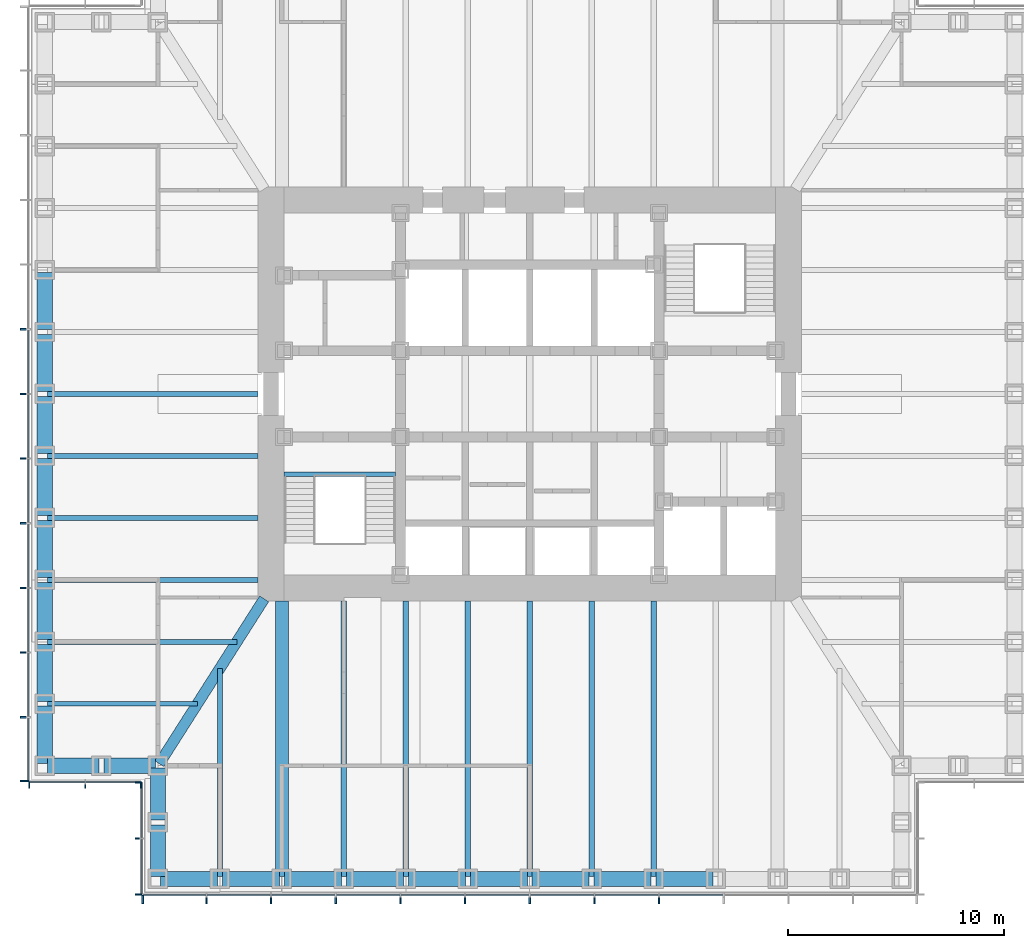
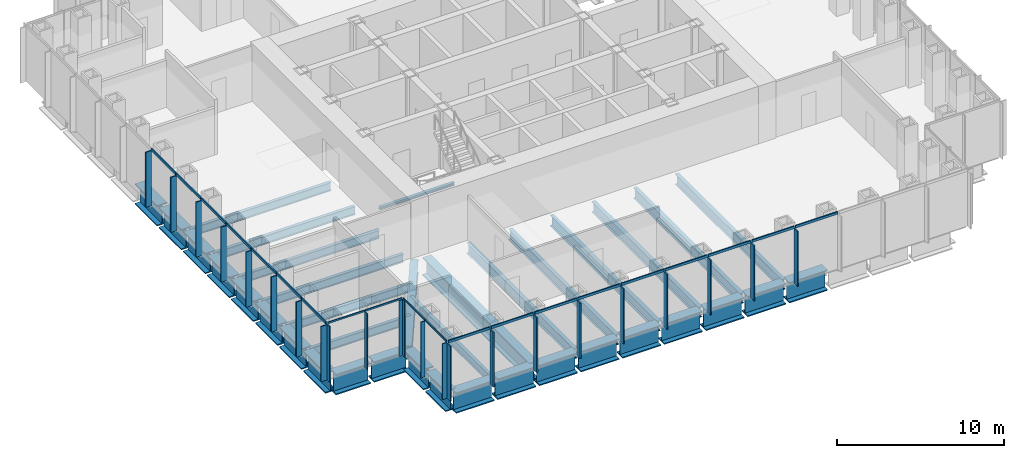
# One storey, part 2 of 17: 43 members, 37 beams, 4 elements without a shape of their own.
"""IFC4 building model written with IfcOpenShell, lengths in metres."""

from ifc_helpers import new_model, si_unit, direction, frame, origin, origin_2d, place, context, subcontext, project, spatial, rectangle, i_section, extrude, material, material_profile, profile_set, type_object, element, aggregate, save


model = new_model("IFC4")

# Units and contexts
model_context = context("Model", 3, precision=1e-05, world=origin(), true_north=direction((0.0, 1.0)))
body_context = subcontext(model_context, "Body", "Model", "MODEL_VIEW")
ifc_project = project(units=[si_unit("LENGTHUNIT", "METRE"), si_unit("AREAUNIT", "SQUARE_METRE"), si_unit("VOLUMEUNIT", "CUBIC_METRE"), si_unit("PLANEANGLEUNIT", "RADIAN"), si_unit("MASSUNIT", "GRAM", prefix="KILO")], contexts=[model_context])

# Site, building, storey
site_placement = place(None, origin())
site = spatial("IfcSite", under=ifc_project, at=site_placement, CompositionType="ELEMENT")
building_placement = place(site_placement, origin())
building = spatial("IfcBuilding", under=site, at=building_placement, Name="Daluyong Arena Tower", CompositionType="ELEMENT")
storey_placement = place(building_placement, frame((0.0, 0.0, 154.300048828125)))
storey = spatial("IfcBuildingStorey", under=building, at=storey_placement, Name="L34", CompositionType="ELEMENT", Elevation=154.300048828125)

# Curtain wall, members
ifc_material_1 = material(Name="Bronze anodised aluminium and glass", Category="aluminium")
curtain_wall_type_1 = type_object("IfcCurtainWallType", Name="Curtain wall CW2", PredefinedType="USERDEFINED", material=ifc_material_1)
curtain_wall_1_placement = place(storey_placement, origin())
curtain_wall_1 = element("IfcCurtainWall", 1, at=curtain_wall_1_placement, inside=storey, type_object=curtain_wall_type_1, Name="curtain wall L34 S", ObjectType="UNITISED CURTAIN WALL", PredefinedType="USERDEFINED")
ifc_material_2 = material(Name="Bronze anodised aluminium fin", Category="aluminium")
ifc_material_profile_1 = material_profile(ifc_material_2, rectangle(XDim=0.39990234375, YDim=0.080078125, at=origin_2d()))
ifc_profile_set_1 = profile_set([ifc_material_profile_1], Name="Bronze anodised aluminium fin")
member_type_1 = type_object("IfcMemberType", Name="CW2 bronze fin 400x80", PredefinedType="MULLION", material=ifc_profile_set_1)
member_1_placement = place(storey_placement, frame((38.0400390625, 56.550048828125, 0.0), z_axis=(0.0, 0.0, 1.0), x_axis=(0.0, 1.0, 0.0)))
member_1 = element("IfcMember", 2, at=member_1_placement, type_object=member_type_1, Name="curtain wall L34 S fin 1", PredefinedType="MULLION", context=body_context, shape_type="SweptSolid", body=[
    extrude(rectangle(XDim=0.39990234375, YDim=0.080078125, at=origin_2d()), origin(), (0.0, 0.0, 1.0), 4.02001953125),
])
member_2_placement = place(storey_placement, frame((41.0, 56.550048828125, 0.0), z_axis=(0.0, 0.0, 1.0), x_axis=(0.0, 1.0, 0.0)))
member_2 = element("IfcMember", 3, at=member_2_placement, type_object=member_type_1, Name="curtain wall L34 S fin 2", PredefinedType="MULLION", context=body_context, shape_type="SweptSolid", body=[
    extrude(rectangle(XDim=0.39990234375, YDim=0.080078125, at=origin_2d()), origin(), (0.0, 0.0, 1.0), 4.02001953125),
])
member_3_placement = place(storey_placement, frame((44.0, 56.550048828125, 0.0), z_axis=(0.0, 0.0, 1.0), x_axis=(0.0, 1.0, 0.0)))
member_3 = element("IfcMember", 4, at=member_3_placement, type_object=member_type_1, Name="curtain wall L34 S fin 3", PredefinedType="MULLION", context=body_context, shape_type="SweptSolid", body=[
    extrude(rectangle(XDim=0.39990234375, YDim=0.080078125, at=origin_2d()), origin(), (0.0, 0.0, 1.0), 4.02001953125),
])
member_4_placement = place(storey_placement, frame((47.0, 56.550048828125, 0.0), z_axis=(0.0, 0.0, 1.0), x_axis=(0.0, 1.0, 0.0)))
member_4 = element("IfcMember", 5, at=member_4_placement, type_object=member_type_1, Name="curtain wall L34 S fin 4", PredefinedType="MULLION", context=body_context, shape_type="SweptSolid", body=[
    extrude(rectangle(XDim=0.39990234375, YDim=0.080078125, at=origin_2d()), origin(), (0.0, 0.0, 1.0), 4.02001953125),
])
member_5_placement = place(storey_placement, frame((50.0, 56.550048828125, 0.0), z_axis=(0.0, 0.0, 1.0), x_axis=(0.0, 1.0, 0.0)))
member_5 = element("IfcMember", 6, at=member_5_placement, type_object=member_type_1, Name="curtain wall L34 S fin 5", PredefinedType="MULLION", context=body_context, shape_type="SweptSolid", body=[
    extrude(rectangle(XDim=0.39990234375, YDim=0.080078125, at=origin_2d()), origin(), (0.0, 0.0, 1.0), 4.02001953125),
])
member_6_placement = place(storey_placement, frame((53.0, 56.550048828125, 0.0), z_axis=(0.0, 0.0, 1.0), x_axis=(0.0, 1.0, 0.0)))
member_6 = element("IfcMember", 7, at=member_6_placement, type_object=member_type_1, Name="curtain wall L34 S fin 6", PredefinedType="MULLION", context=body_context, shape_type="SweptSolid", body=[
    extrude(rectangle(XDim=0.39990234375, YDim=0.080078125, at=origin_2d()), origin(), (0.0, 0.0, 1.0), 4.02001953125),
])
member_7_placement = place(storey_placement, frame((56.0, 56.550048828125, 0.0), z_axis=(0.0, 0.0, 1.0), x_axis=(0.0, 1.0, 0.0)))
member_7 = element("IfcMember", 8, at=member_7_placement, type_object=member_type_1, Name="curtain wall L34 S fin 7", PredefinedType="MULLION", context=body_context, shape_type="SweptSolid", body=[
    extrude(rectangle(XDim=0.39990234375, YDim=0.080078125, at=origin_2d()), origin(), (0.0, 0.0, 1.0), 4.02001953125),
])
member_8_placement = place(storey_placement, frame((59.0, 56.550048828125, 0.0), z_axis=(0.0, 0.0, 1.0), x_axis=(0.0, 1.0, 0.0)))
member_8 = element("IfcMember", 9, at=member_8_placement, type_object=member_type_1, Name="curtain wall L34 S fin 8", PredefinedType="MULLION", context=body_context, shape_type="SweptSolid", body=[
    extrude(rectangle(XDim=0.39990234375, YDim=0.080078125, at=origin_2d()), origin(), (0.0, 0.0, 1.0), 4.02001953125),
])
member_9_placement = place(storey_placement, frame((62.0, 56.550048828125, 0.0), z_axis=(0.0, 0.0, 1.0), x_axis=(0.0, 1.0, 0.0)))
member_9 = element("IfcMember", 10, at=member_9_placement, type_object=member_type_1, Name="curtain wall L34 S fin 9", PredefinedType="MULLION", context=body_context, shape_type="SweptSolid", body=[
    extrude(rectangle(XDim=0.39990234375, YDim=0.080078125, at=origin_2d()), origin(), (0.0, 0.0, 1.0), 4.02001953125),
])

curtain_wall_2_placement = place(storey_placement, origin())
curtain_wall_2 = element("IfcCurtainWall", 11, at=curtain_wall_2_placement, inside=storey, type_object=curtain_wall_type_1, Name="curtain wall L34 W", ObjectType="UNITISED CURTAIN WALL", PredefinedType="USERDEFINED")
member_10_placement = place(storey_placement, frame((32.550048828125, 83.0, 0.0), z_axis=(0.0, 0.0, 1.0), x_axis=(1.0, 0.0, 0.0)))
member_10 = element("IfcMember", 12, at=member_10_placement, type_object=member_type_1, Name="curtain wall L34 W fin 6", PredefinedType="MULLION", context=body_context, shape_type="SweptSolid", body=[
    extrude(rectangle(XDim=0.39990234375, YDim=0.080078125, at=origin_2d()), origin(), (0.0, 0.0, 1.0), 4.02001953125),
])
member_11_placement = place(storey_placement, frame((32.550048828125, 80.0, 0.0), z_axis=(0.0, 0.0, 1.0), x_axis=(1.0, 0.0, 0.0)))
member_11 = element("IfcMember", 13, at=member_11_placement, type_object=member_type_1, Name="curtain wall L34 W fin 7", PredefinedType="MULLION", context=body_context, shape_type="SweptSolid", body=[
    extrude(rectangle(XDim=0.39990234375, YDim=0.080078125, at=origin_2d()), origin(), (0.0, 0.0, 1.0), 4.02001953125),
])
member_12_placement = place(storey_placement, frame((32.550048828125, 77.0, 0.0), z_axis=(0.0, 0.0, 1.0), x_axis=(1.0, 0.0, 0.0)))
member_12 = element("IfcMember", 14, at=member_12_placement, type_object=member_type_1, Name="curtain wall L34 W fin 8", PredefinedType="MULLION", context=body_context, shape_type="SweptSolid", body=[
    extrude(rectangle(XDim=0.39990234375, YDim=0.080078125, at=origin_2d()), origin(), (0.0, 0.0, 1.0), 4.02001953125),
])
member_13_placement = place(storey_placement, frame((32.550048828125, 74.0, 0.0), z_axis=(0.0, 0.0, 1.0), x_axis=(1.0, 0.0, 0.0)))
member_13 = element("IfcMember", 15, at=member_13_placement, type_object=member_type_1, Name="curtain wall L34 W fin 9", PredefinedType="MULLION", context=body_context, shape_type="SweptSolid", body=[
    extrude(rectangle(XDim=0.39990234375, YDim=0.080078125, at=origin_2d()), origin(), (0.0, 0.0, 1.0), 4.02001953125),
])
member_14_placement = place(storey_placement, frame((32.550048828125, 71.0, 0.0), z_axis=(0.0, 0.0, 1.0), x_axis=(1.0, 0.0, 0.0)))
member_14 = element("IfcMember", 16, at=member_14_placement, type_object=member_type_1, Name="curtain wall L34 W fin 10", PredefinedType="MULLION", context=body_context, shape_type="SweptSolid", body=[
    extrude(rectangle(XDim=0.39990234375, YDim=0.080078125, at=origin_2d()), origin(), (0.0, 0.0, 1.0), 4.02001953125),
])
member_15_placement = place(storey_placement, frame((32.550048828125, 68.0, 0.0), z_axis=(0.0, 0.0, 1.0), x_axis=(1.0, 0.0, 0.0)))
member_15 = element("IfcMember", 17, at=member_15_placement, type_object=member_type_1, Name="curtain wall L34 W fin 11", PredefinedType="MULLION", context=body_context, shape_type="SweptSolid", body=[
    extrude(rectangle(XDim=0.39990234375, YDim=0.080078125, at=origin_2d()), origin(), (0.0, 0.0, 1.0), 4.02001953125),
])
member_16_placement = place(storey_placement, frame((32.550048828125, 65.0, 0.0), z_axis=(0.0, 0.0, 1.0), x_axis=(1.0, 0.0, 0.0)))
member_16 = element("IfcMember", 18, at=member_16_placement, type_object=member_type_1, Name="curtain wall L34 W fin 12", PredefinedType="MULLION", context=body_context, shape_type="SweptSolid", body=[
    extrude(rectangle(XDim=0.39990234375, YDim=0.080078125, at=origin_2d()), origin(), (0.0, 0.0, 1.0), 4.02001953125),
])
member_17_placement = place(storey_placement, frame((32.550048828125, 62.0400390625, 0.0), z_axis=(0.0, 0.0, 1.0), x_axis=(1.0, 0.0, 0.0)))
member_17 = element("IfcMember", 19, at=member_17_placement, type_object=member_type_1, Name="curtain wall L34 W fin 13", PredefinedType="MULLION", context=body_context, shape_type="SweptSolid", body=[
    extrude(rectangle(XDim=0.39990234375, YDim=0.080078125, at=origin_2d()), origin(), (0.0, 0.0, 1.0), 4.02001953125),
])

# Member
ifc_material_3 = material(Name="Bronze anodised aluminium", Category="aluminium")
ifc_material_profile_2 = material_profile(ifc_material_3, rectangle(XDim=0.080078125, YDim=0.179931640625, at=origin_2d()))
ifc_profile_set_2 = profile_set([ifc_material_profile_2], Name="Bronze anodised aluminium")
member_type_2 = type_object("IfcMemberType", Name="CW2 stack transom 180x80", PredefinedType="USERDEFINED", material=ifc_profile_set_2)
member_18_placement = place(storey_placement, frame((38.080078125, 56.75, 4.10986328125), z_axis=(1.0, 0.0, 0.0), x_axis=(0.0, 1.0, 0.0)))
member_18 = element("IfcMember", 20, at=member_18_placement, type_object=member_type_2, Name="curtain wall L34 S transom 1", ObjectType="TRANSOM", PredefinedType="USERDEFINED", context=body_context, shape_type="SweptSolid", body=[
    extrude(rectangle(XDim=0.080078125, YDim=0.179931640625, at=origin_2d()), origin(), (0.0, 0.0, 1.0), 2.8798828125),
])

member_19_placement = place(storey_placement, frame((41.0400390625, 56.75, 4.10986328125), z_axis=(1.0, 0.0, 0.0), x_axis=(0.0, 1.0, 0.0)))
member_19 = element("IfcMember", 21, at=member_19_placement, type_object=member_type_2, Name="curtain wall L34 S transom 2", ObjectType="TRANSOM", PredefinedType="USERDEFINED", context=body_context, shape_type="SweptSolid", body=[
    extrude(rectangle(XDim=0.080078125, YDim=0.179931640625, at=origin_2d()), origin(), (0.0, 0.0, 1.0), 2.919921875),
])

member_20_placement = place(storey_placement, frame((44.0400390625, 56.75, 4.10986328125), z_axis=(1.0, 0.0, 0.0), x_axis=(0.0, 1.0, 0.0)))
member_20 = element("IfcMember", 22, at=member_20_placement, type_object=member_type_2, Name="curtain wall L34 S transom 3", ObjectType="TRANSOM", PredefinedType="USERDEFINED", context=body_context, shape_type="SweptSolid", body=[
    extrude(rectangle(XDim=0.080078125, YDim=0.179931640625, at=origin_2d()), origin(), (0.0, 0.0, 1.0), 2.919921875),
])

member_21_placement = place(storey_placement, frame((47.0400390625, 56.75, 4.10986328125), z_axis=(1.0, 0.0, 0.0), x_axis=(0.0, 1.0, 0.0)))
member_21 = element("IfcMember", 23, at=member_21_placement, type_object=member_type_2, Name="curtain wall L34 S transom 4", ObjectType="TRANSOM", PredefinedType="USERDEFINED", context=body_context, shape_type="SweptSolid", body=[
    extrude(rectangle(XDim=0.080078125, YDim=0.179931640625, at=origin_2d()), origin(), (0.0, 0.0, 1.0), 2.919921875),
])

member_22_placement = place(storey_placement, frame((50.0400390625, 56.75, 4.10986328125), z_axis=(1.0, 0.0, 0.0), x_axis=(0.0, 1.0, 0.0)))
member_22 = element("IfcMember", 24, at=member_22_placement, type_object=member_type_2, Name="curtain wall L34 S transom 5", ObjectType="TRANSOM", PredefinedType="USERDEFINED", context=body_context, shape_type="SweptSolid", body=[
    extrude(rectangle(XDim=0.080078125, YDim=0.179931640625, at=origin_2d()), origin(), (0.0, 0.0, 1.0), 2.919921875),
])

member_23_placement = place(storey_placement, frame((53.0400390625, 56.75, 4.10986328125), z_axis=(1.0, 0.0, 0.0), x_axis=(0.0, 1.0, 0.0)))
member_23 = element("IfcMember", 25, at=member_23_placement, type_object=member_type_2, Name="curtain wall L34 S transom 6", ObjectType="TRANSOM", PredefinedType="USERDEFINED", context=body_context, shape_type="SweptSolid", body=[
    extrude(rectangle(XDim=0.080078125, YDim=0.179931640625, at=origin_2d()), origin(), (0.0, 0.0, 1.0), 2.919921875),
])

member_24_placement = place(storey_placement, frame((56.0400390625, 56.75, 4.10986328125), z_axis=(1.0, 0.0, 0.0), x_axis=(0.0, 1.0, 0.0)))
member_24 = element("IfcMember", 26, at=member_24_placement, type_object=member_type_2, Name="curtain wall L34 S transom 7", ObjectType="TRANSOM", PredefinedType="USERDEFINED", context=body_context, shape_type="SweptSolid", body=[
    extrude(rectangle(XDim=0.080078125, YDim=0.179931640625, at=origin_2d()), origin(), (0.0, 0.0, 1.0), 2.919921875),
])

member_25_placement = place(storey_placement, frame((59.0400390625, 56.75, 4.10986328125), z_axis=(1.0, 0.0, 0.0), x_axis=(0.0, 1.0, 0.0)))
member_25 = element("IfcMember", 27, at=member_25_placement, type_object=member_type_2, Name="curtain wall L34 S transom 8", ObjectType="TRANSOM", PredefinedType="USERDEFINED", context=body_context, shape_type="SweptSolid", body=[
    extrude(rectangle(XDim=0.080078125, YDim=0.179931640625, at=origin_2d()), origin(), (0.0, 0.0, 1.0), 2.919921875),
])

member_26_placement = place(storey_placement, frame((62.0400390625, 56.75, 4.10986328125), z_axis=(1.0, 0.0, 0.0), x_axis=(0.0, 1.0, 0.0)))
member_26 = element("IfcMember", 28, at=member_26_placement, type_object=member_type_2, Name="curtain wall L34 S transom 9", ObjectType="TRANSOM", PredefinedType="USERDEFINED", context=body_context, shape_type="SweptSolid", body=[
    extrude(rectangle(XDim=0.080078125, YDim=0.179931640625, at=origin_2d()), origin(), (0.0, 0.0, 1.0), 2.919921875),
])

aggregate(curtain_wall_1, [member_1, member_2, member_3, member_4, member_5, member_6, member_7, member_8, member_9, member_18, member_19, member_20, member_21, member_22, member_23, member_24, member_25, member_26])

member_27_placement = place(storey_placement, frame((32.75, 82.9599609375, 4.10986328125), z_axis=(0.0, -1.0, 0.0), x_axis=(1.0, 0.0, 0.0)))
member_27 = element("IfcMember", 29, at=member_27_placement, type_object=member_type_2, Name="curtain wall L34 W transom 6", ObjectType="TRANSOM", PredefinedType="USERDEFINED", context=body_context, shape_type="SweptSolid", body=[
    extrude(rectangle(XDim=0.080078125, YDim=0.179931640625, at=origin_2d()), origin(), (0.0, 0.0, 1.0), 2.919921875),
])

member_28_placement = place(storey_placement, frame((32.75, 79.9599609375, 4.10986328125), z_axis=(0.0, -1.0, 0.0), x_axis=(1.0, 0.0, 0.0)))
member_28 = element("IfcMember", 30, at=member_28_placement, type_object=member_type_2, Name="curtain wall L34 W transom 7", ObjectType="TRANSOM", PredefinedType="USERDEFINED", context=body_context, shape_type="SweptSolid", body=[
    extrude(rectangle(XDim=0.080078125, YDim=0.179931640625, at=origin_2d()), origin(), (0.0, 0.0, 1.0), 2.919921875),
])

member_29_placement = place(storey_placement, frame((32.75, 76.9599609375, 4.10986328125), z_axis=(0.0, -1.0, 0.0), x_axis=(1.0, 0.0, 0.0)))
member_29 = element("IfcMember", 31, at=member_29_placement, type_object=member_type_2, Name="curtain wall L34 W transom 8", ObjectType="TRANSOM", PredefinedType="USERDEFINED", context=body_context, shape_type="SweptSolid", body=[
    extrude(rectangle(XDim=0.080078125, YDim=0.179931640625, at=origin_2d()), origin(), (0.0, 0.0, 1.0), 2.919921875),
])

member_30_placement = place(storey_placement, frame((32.75, 73.9599609375, 4.10986328125), z_axis=(0.0, -1.0, 0.0), x_axis=(1.0, 0.0, 0.0)))
member_30 = element("IfcMember", 32, at=member_30_placement, type_object=member_type_2, Name="curtain wall L34 W transom 9", ObjectType="TRANSOM", PredefinedType="USERDEFINED", context=body_context, shape_type="SweptSolid", body=[
    extrude(rectangle(XDim=0.080078125, YDim=0.179931640625, at=origin_2d()), origin(), (0.0, 0.0, 1.0), 2.919921875),
])

member_31_placement = place(storey_placement, frame((32.75, 70.9599609375, 4.10986328125), z_axis=(0.0, -1.0, 0.0), x_axis=(1.0, 0.0, 0.0)))
member_31 = element("IfcMember", 33, at=member_31_placement, type_object=member_type_2, Name="curtain wall L34 W transom 10", ObjectType="TRANSOM", PredefinedType="USERDEFINED", context=body_context, shape_type="SweptSolid", body=[
    extrude(rectangle(XDim=0.080078125, YDim=0.179931640625, at=origin_2d()), origin(), (0.0, 0.0, 1.0), 2.919921875),
])

member_32_placement = place(storey_placement, frame((32.75, 67.9599609375, 4.10986328125), z_axis=(0.0, -1.0, 0.0), x_axis=(1.0, 0.0, 0.0)))
member_32 = element("IfcMember", 34, at=member_32_placement, type_object=member_type_2, Name="curtain wall L34 W transom 11", ObjectType="TRANSOM", PredefinedType="USERDEFINED", context=body_context, shape_type="SweptSolid", body=[
    extrude(rectangle(XDim=0.080078125, YDim=0.179931640625, at=origin_2d()), origin(), (0.0, 0.0, 1.0), 2.919921875),
])

member_33_placement = place(storey_placement, frame((32.75, 64.9599609375, 4.10986328125), z_axis=(0.0, -1.0, 0.0), x_axis=(1.0, 0.0, 0.0)))
member_33 = element("IfcMember", 35, at=member_33_placement, type_object=member_type_2, Name="curtain wall L34 W transom 12", ObjectType="TRANSOM", PredefinedType="USERDEFINED", context=body_context, shape_type="SweptSolid", body=[
    extrude(rectangle(XDim=0.080078125, YDim=0.179931640625, at=origin_2d()), origin(), (0.0, 0.0, 1.0), 2.8798828125),
])

aggregate(curtain_wall_2, [member_10, member_11, member_12, member_13, member_14, member_15, member_16, member_17, member_27, member_28, member_29, member_30, member_31, member_32, member_33])

# Curtain wall, members
ifc_material_4 = material(Name="Bronze anodised aluminium and glass", Category="aluminium")
curtain_wall_type_2 = type_object("IfcCurtainWallType", Name="Curtain wall CW7", PredefinedType="USERDEFINED", material=ifc_material_4)
curtain_wall_3_placement = place(storey_placement, origin())
curtain_wall_3 = element("IfcCurtainWall", 36, at=curtain_wall_3_placement, inside=storey, type_object=curtain_wall_type_2, Name="curtain wall L34 SW-S", ObjectType="UNITISED CURTAIN WALL", PredefinedType="USERDEFINED")
ifc_material_5 = material(Name="Bronze anodised aluminium fin", Category="aluminium")
ifc_material_profile_3 = material_profile(ifc_material_5, rectangle(XDim=0.300048828125, YDim=0.06005859375, at=origin_2d()))
ifc_profile_set_3 = profile_set([ifc_material_profile_3], Name="Bronze anodised aluminium fin")
member_type_3 = type_object("IfcMemberType", Name="CW7 bronze fin 300x60", PredefinedType="MULLION", material=ifc_profile_set_3)
member_34_placement = place(storey_placement, frame((32.780029296875, 61.85009765625, 0.0), z_axis=(0.0, 0.0, 1.0), x_axis=(0.0, 1.0, 0.0)))
member_34 = element("IfcMember", 37, at=member_34_placement, type_object=member_type_3, Name="curtain wall L34 SW-S fin 1", PredefinedType="MULLION", context=body_context, shape_type="SweptSolid", body=[
    extrude(rectangle(XDim=0.300048828125, YDim=0.06005859375, at=origin_2d()), origin(), (0.0, 0.0, 1.0), 4.079833984375),
])
member_35_placement = place(storey_placement, frame((35.375, 61.85009765625, 0.0), z_axis=(0.0, 0.0, 1.0), x_axis=(0.0, 1.0, 0.0)))
member_35 = element("IfcMember", 38, at=member_35_placement, type_object=member_type_3, Name="curtain wall L34 SW-S fin 2", PredefinedType="MULLION", context=body_context, shape_type="SweptSolid", body=[
    extrude(rectangle(XDim=0.300048828125, YDim=0.06005859375, at=origin_2d()), origin(), (0.0, 0.0, 1.0), 4.079833984375),
])
member_36_placement = place(storey_placement, frame((37.969970703125, 61.85009765625, 0.0), z_axis=(0.0, 0.0, 1.0), x_axis=(0.0, 1.0, 0.0)))
member_36 = element("IfcMember", 39, at=member_36_placement, type_object=member_type_3, Name="curtain wall L34 SW-S fin 3", PredefinedType="MULLION", context=body_context, shape_type="SweptSolid", body=[
    extrude(rectangle(XDim=0.300048828125, YDim=0.06005859375, at=origin_2d()), origin(), (0.0, 0.0, 1.0), 4.079833984375),
])

curtain_wall_4_placement = place(storey_placement, origin())
curtain_wall_4 = element("IfcCurtainWall", 40, at=curtain_wall_4_placement, inside=storey, type_object=curtain_wall_type_2, Name="curtain wall L34 SW-W", ObjectType="UNITISED CURTAIN WALL", PredefinedType="USERDEFINED")
member_37_placement = place(storey_placement, frame((37.85009765625, 61.969970703125, 0.0), z_axis=(0.0, 0.0, 1.0), x_axis=(1.0, 0.0, 0.0)))
member_37 = element("IfcMember", 41, at=member_37_placement, type_object=member_type_3, Name="curtain wall L34 SW-W fin 1", PredefinedType="MULLION", context=body_context, shape_type="SweptSolid", body=[
    extrude(rectangle(XDim=0.300048828125, YDim=0.06005859375, at=origin_2d()), origin(), (0.0, 0.0, 1.0), 4.079833984375),
])
member_38_placement = place(storey_placement, frame((37.85009765625, 59.375, 0.0), z_axis=(0.0, 0.0, 1.0), x_axis=(1.0, 0.0, 0.0)))
member_38 = element("IfcMember", 42, at=member_38_placement, type_object=member_type_3, Name="curtain wall L34 SW-W fin 2", PredefinedType="MULLION", context=body_context, shape_type="SweptSolid", body=[
    extrude(rectangle(XDim=0.300048828125, YDim=0.06005859375, at=origin_2d()), origin(), (0.0, 0.0, 1.0), 4.079833984375),
])
member_39_placement = place(storey_placement, frame((37.85009765625, 56.780029296875, 0.0), z_axis=(0.0, 0.0, 1.0), x_axis=(1.0, 0.0, 0.0)))
member_39 = element("IfcMember", 43, at=member_39_placement, type_object=member_type_3, Name="curtain wall L34 SW-W fin 3", PredefinedType="MULLION", context=body_context, shape_type="SweptSolid", body=[
    extrude(rectangle(XDim=0.300048828125, YDim=0.06005859375, at=origin_2d()), origin(), (0.0, 0.0, 1.0), 4.079833984375),
])

# Member
ifc_material_6 = material(Name="Bronze anodised aluminium", Category="aluminium")
ifc_material_profile_4 = material_profile(ifc_material_6, rectangle(XDim=0.06005859375, YDim=0.1201171875, at=origin_2d()))
ifc_profile_set_4 = profile_set([ifc_material_profile_4], Name="Bronze anodised aluminium")
member_type_4 = type_object("IfcMemberType", Name="CW7 stack transom 120x60", PredefinedType="USERDEFINED", material=ifc_profile_set_4)
member_40_placement = place(storey_placement, frame((32.81005859375, 62.0, 4.139892578125), z_axis=(1.0, 0.0, 0.0), x_axis=(0.0, 1.0, 0.0)))
member_40 = element("IfcMember", 44, at=member_40_placement, type_object=member_type_4, Name="curtain wall L34 SW-S transom 1", ObjectType="TRANSOM", PredefinedType="USERDEFINED", context=body_context, shape_type="SweptSolid", body=[
    extrude(rectangle(XDim=0.06005859375, YDim=0.1201171875, at=origin_2d()), origin(), (0.0, 0.0, 1.0), 2.534912109375),
])

member_41_placement = place(storey_placement, frame((35.405029296875, 62.0, 4.139892578125), z_axis=(1.0, 0.0, 0.0), x_axis=(0.0, 1.0, 0.0)))
member_41 = element("IfcMember", 45, at=member_41_placement, type_object=member_type_4, Name="curtain wall L34 SW-S transom 2", ObjectType="TRANSOM", PredefinedType="USERDEFINED", context=body_context, shape_type="SweptSolid", body=[
    extrude(rectangle(XDim=0.06005859375, YDim=0.1201171875, at=origin_2d()), origin(), (0.0, 0.0, 1.0), 2.534912109375),
])

aggregate(curtain_wall_3, [member_34, member_35, member_36, member_40, member_41])

member_42_placement = place(storey_placement, frame((38.0, 61.93994140625, 4.139892578125), z_axis=(0.0, -1.0, 0.0), x_axis=(1.0, 0.0, 0.0)))
member_42 = element("IfcMember", 46, at=member_42_placement, type_object=member_type_4, Name="curtain wall L34 SW-W transom 1", ObjectType="TRANSOM", PredefinedType="USERDEFINED", context=body_context, shape_type="SweptSolid", body=[
    extrude(rectangle(XDim=0.06005859375, YDim=0.1201171875, at=origin_2d()), origin(), (0.0, 0.0, 1.0), 2.534912109375),
])

member_43_placement = place(storey_placement, frame((38.0, 59.344970703125, 4.139892578125), z_axis=(0.0, -1.0, 0.0), x_axis=(1.0, 0.0, 0.0)))
member_43 = element("IfcMember", 47, at=member_43_placement, type_object=member_type_4, Name="curtain wall L34 SW-W transom 2", ObjectType="TRANSOM", PredefinedType="USERDEFINED", context=body_context, shape_type="SweptSolid", body=[
    extrude(rectangle(XDim=0.06005859375, YDim=0.1201171875, at=origin_2d()), origin(), (0.0, 0.0, 1.0), 2.534912109375),
])

aggregate(curtain_wall_4, [member_37, member_38, member_39, member_42, member_43])

# Beams
ifc_material_7 = material(Name="Steel ASTM A572 Grade 50", Category="steel")
ifc_material_profile_5 = material_profile(ifc_material_7, i_section(OverallWidth=0.5, OverallDepth=1.0, WebThickness=0.03, FlangeThickness=0.06, at=origin_2d()))
ifc_profile_set_5 = profile_set([ifc_material_profile_5], Name="Steel ASTM A572 Grade 50")
beam_type_1 = type_object("IfcBeamType", Name="Corner girder TB1000X500", PredefinedType="BEAM", material=ifc_profile_set_5)
beam_1_placement = place(storey_placement, frame((38.811767578125, 62.846923828125, -0.66015625), z_axis=(0.536872006459, 0.843663705916, 0.0), x_axis=(-0.843663705916, 0.536872006459, 0.0)))
element("IfcBeam", 48, at=beam_1_placement, inside=storey, type_object=beam_type_1, Name="corner girder DG2", PredefinedType="BEAM", context=body_context, shape_type="SweptSolid", body=[
    extrude(i_section(OverallWidth=0.5, OverallDepth=1.0, WebThickness=0.03, FlangeThickness=0.06, at=origin_2d()), origin(), (0.0, 0.0, 1.0), 9.06396484375),
])
ifc_material_8 = material(Name="Steel ASTM A572 Grade 50", Category="steel")
ifc_material_profile_6 = material_profile(ifc_material_8, i_section(OverallWidth=0.60009765625, OverallDepth=1.300048828125, WebThickness=0.035, FlangeThickness=0.07, at=origin_2d()))
ifc_profile_set_6 = profile_set([ifc_material_profile_6], Name="Steel ASTM A572 Grade 50")
beam_type_2 = type_object("IfcBeamType", Name="Floor beam TB1300X600", PredefinedType="BEAM", material=ifc_profile_set_6)
beam_2_placement = place(storey_placement, frame((44.5, 57.614990234375, -0.81005859375), z_axis=(0.0, 1.0, 0.0), x_axis=(-1.0, 0.0, 0.0)))
element("IfcBeam", 49, at=beam_2_placement, inside=storey, type_object=beam_type_2, Name="floor beam FB7", PredefinedType="BEAM", context=body_context, shape_type="SweptSolid", body=[
    extrude(i_section(OverallWidth=0.60009765625, OverallDepth=1.300048828125, WebThickness=0.035, FlangeThickness=0.07, at=origin_2d()), origin(), (0.0, 0.0, 1.0), 12.784912109375),
])
ifc_material_9 = material(Name="Steel ASTM A992 Grade 50", Category="steel")
ifc_material_profile_7 = material_profile(ifc_material_9, i_section(OverallWidth=0.22900390625, OverallDepth=0.612060546875, WebThickness=0.011962890625, FlangeThickness=0.01953125, at=origin_2d()))
ifc_profile_set_7 = profile_set([ifc_material_profile_7], Name="Steel ASTM A992 Grade 50")
beam_type_3 = type_object("IfcBeamType", Name="Floor beam W24X84", PredefinedType="BEAM", material=ifc_profile_set_7)
beam_3_placement = place(storey_placement, frame((41.625, 57.614990234375, -0.466064453125), z_axis=(0.0, 1.0, 0.0), x_axis=(-1.0, 0.0, 0.0)))
element("IfcBeam", 50, at=beam_3_placement, inside=storey, type_object=beam_type_3, Name="floor beam FB3", PredefinedType="BEAM", context=body_context, shape_type="SweptSolid", body=[
    extrude(i_section(OverallWidth=0.22900390625, OverallDepth=0.612060546875, WebThickness=0.011962890625, FlangeThickness=0.01953125, at=origin_2d()), origin(), (0.0, 0.0, 1.0), 9.65283203125),
])
for number, where, z_axis, x_axis, name in (
    (51, (33.614990234375, 80.0, -0.466064453125), (1.0, 0.0, 0.0), (0.0, 1.0, 0.0), "floor beam FB3"),
    (52, (33.614990234375, 77.125, -0.466064453125), (1.0, 0.0, 0.0), (0.0, 1.0, 0.0), "floor beam FB3"),
    (53, (33.614990234375, 74.25, -0.466064453125), (1.0, 0.0, 0.0), (0.0, 1.0, 0.0), "floor beam FB3"),
    (54, (33.614990234375, 71.375, -0.466064453125), (1.0, 0.0, 0.0), (0.0, 1.0, 0.0), "floor beam FB3"),
):
    element("IfcBeam", number, at=place(storey_placement, frame(where, z_axis=z_axis, x_axis=x_axis)), inside=storey, type_object=beam_type_3, Name=name, PredefinedType="BEAM", context=body_context, shape_type="SweptSolid", body=[
        extrude(i_section(OverallWidth=0.22900390625, OverallDepth=0.612060546875, WebThickness=0.011962890625, FlangeThickness=0.01953125, at=origin_2d()), origin(), (0.0, 0.0, 1.0), 9.784912109375),
    ])
beam_4_placement = place(storey_placement, frame((33.614990234375, 68.5, -0.466064453125), z_axis=(1.0, 0.0, 0.0), x_axis=(0.0, 1.0, 0.0)))
element("IfcBeam", 55, at=beam_4_placement, inside=storey, type_object=beam_type_3, Name="floor beam FB3", PredefinedType="BEAM", context=body_context, shape_type="SweptSolid", body=[
    extrude(i_section(OverallWidth=0.22900390625, OverallDepth=0.612060546875, WebThickness=0.011962890625, FlangeThickness=0.01953125, at=origin_2d()), origin(), (0.0, 0.0, 1.0), 8.794189453125),
])
beam_5_placement = place(storey_placement, frame((33.614990234375, 65.625, -0.466064453125), z_axis=(1.0, 0.0, 0.0), x_axis=(0.0, 1.0, 0.0)))
element("IfcBeam", 56, at=beam_5_placement, inside=storey, type_object=beam_type_3, Name="floor beam FB3", PredefinedType="BEAM", context=body_context, shape_type="SweptSolid", body=[
    extrude(i_section(OverallWidth=0.22900390625, OverallDepth=0.612060546875, WebThickness=0.011962890625, FlangeThickness=0.01953125, at=origin_2d()), origin(), (0.0, 0.0, 1.0), 6.964599609375),
])
ifc_material_10 = material(Name="Steel ASTM A992 Grade 50", Category="steel")
ifc_material_profile_8 = material_profile(ifc_material_10, i_section(OverallWidth=0.2666015625, OverallDepth=0.761962890625, WebThickness=0.014404296875, FlangeThickness=0.021484375, at=origin_2d()))
ifc_profile_set_8 = profile_set([ifc_material_profile_8], Name="Steel ASTM A992 Grade 50")
beam_type_4 = type_object("IfcBeamType", Name="Floor beam W30X116", PredefinedType="BEAM", material=ifc_profile_set_8)
for number, where, z_axis, x_axis, name in (
    (57, (47.375, 57.614990234375, -0.541015625), (0.0, 1.0, 0.0), (-1.0, 0.0, 0.0), "floor beam FB4"),
    (58, (50.25, 57.614990234375, -0.541015625), (0.0, 1.0, 0.0), (-1.0, 0.0, 0.0), "floor beam FB4"),
    (59, (53.125, 57.614990234375, -0.541015625), (0.0, 1.0, 0.0), (-1.0, 0.0, 0.0), "floor beam FB4"),
    (60, (56.0, 57.614990234375, -0.541015625), (0.0, 1.0, 0.0), (-1.0, 0.0, 0.0), "floor beam FB4"),
    (61, (58.875, 57.614990234375, -0.541015625), (0.0, 1.0, 0.0), (-1.0, 0.0, 0.0), "floor beam FB4"),
    (62, (61.75, 57.614990234375, -0.541015625), (0.0, 1.0, 0.0), (-1.0, 0.0, 0.0), "floor beam FB4"),
):
    element("IfcBeam", number, at=place(storey_placement, frame(where, z_axis=z_axis, x_axis=x_axis)), inside=storey, type_object=beam_type_4, Name=name, PredefinedType="BEAM", context=body_context, shape_type="SweptSolid", body=[
        extrude(i_section(OverallWidth=0.2666015625, OverallDepth=0.761962890625, WebThickness=0.014404296875, FlangeThickness=0.021484375, at=origin_2d()), origin(), (0.0, 0.0, 1.0), 12.784912109375),
    ])
ifc_material_11 = material(Name="Steel ASTM A572 Grade 50", Category="steel")
ifc_material_profile_9 = material_profile(ifc_material_11, i_section(OverallWidth=0.699951171875, OverallDepth=1.5, WebThickness=0.04, FlangeThickness=0.08, at=origin_2d()))
ifc_profile_set_9 = profile_set([ifc_material_profile_9], Name="Steel ASTM A572 Grade 50")
beam_type_5 = type_object("IfcBeamType", Name="Spandrel Z2 PG1500X700", PredefinedType="SPANDREL", material=ifc_profile_set_9)
for number, where, z_axis, x_axis, name in (
    (63, (38.864990234375, 57.5, -0.91015625), (1.0, 0.0, 0.0), (0.0, 1.0, 0.0), "spandrel z2 SB6"),
    (64, (41.739990234375, 57.5, -0.91015625), (1.0, 0.0, 0.0), (0.0, 1.0, 0.0), "spandrel z2 SB6"),
    (65, (44.614990234375, 57.5, -0.91015625), (1.0, 0.0, 0.0), (0.0, 1.0, 0.0), "spandrel z2 SB6"),
    (66, (47.489990234375, 57.5, -0.91015625), (1.0, 0.0, 0.0), (0.0, 1.0, 0.0), "spandrel z2 SB6"),
    (67, (50.364990234375, 57.5, -0.91015625), (1.0, 0.0, 0.0), (0.0, 1.0, 0.0), "spandrel z2 SB6"),
    (68, (53.239990234375, 57.5, -0.91015625), (1.0, 0.0, 0.0), (0.0, 1.0, 0.0), "spandrel z2 SB6"),
    (69, (56.114990234375, 57.5, -0.91015625), (1.0, 0.0, 0.0), (0.0, 1.0, 0.0), "spandrel z2 SB6"),
    (70, (58.989990234375, 57.5, -0.91015625), (1.0, 0.0, 0.0), (0.0, 1.0, 0.0), "spandrel z2 SB6"),
    (71, (61.864990234375, 57.5, -0.91015625), (1.0, 0.0, 0.0), (0.0, 1.0, 0.0), "spandrel z2 SB6"),
    (72, (33.5, 85.635009765625, -0.91015625), (0.0, -1.0, 0.0), (1.0, 0.0, 0.0), "spandrel z2 SB6"),
    (73, (33.5, 82.760009765625, -0.91015625), (0.0, -1.0, 0.0), (1.0, 0.0, 0.0), "spandrel z2 SB6"),
    (74, (33.5, 79.885009765625, -0.91015625), (0.0, -1.0, 0.0), (1.0, 0.0, 0.0), "spandrel z2 SB6"),
    (75, (33.5, 77.010009765625, -0.91015625), (0.0, -1.0, 0.0), (1.0, 0.0, 0.0), "spandrel z2 SB6"),
    (76, (33.5, 74.135009765625, -0.91015625), (0.0, -1.0, 0.0), (1.0, 0.0, 0.0), "spandrel z2 SB6"),
    (77, (33.5, 71.260009765625, -0.91015625), (0.0, -1.0, 0.0), (1.0, 0.0, 0.0), "spandrel z2 SB6"),
    (78, (33.5, 68.385009765625, -0.91015625), (0.0, -1.0, 0.0), (1.0, 0.0, 0.0), "spandrel z2 SB6"),
    (79, (33.5, 65.510009765625, -0.91015625), (0.0, -1.0, 0.0), (1.0, 0.0, 0.0), "spandrel z2 SB6"),
):
    element("IfcBeam", number, at=place(storey_placement, frame(where, z_axis=z_axis, x_axis=x_axis)), inside=storey, type_object=beam_type_5, Name=name, PredefinedType="SPANDREL", context=body_context, shape_type="SweptSolid", body=[
        extrude(i_section(OverallWidth=0.699951171875, OverallDepth=1.5, WebThickness=0.04, FlangeThickness=0.08, at=origin_2d()), origin(), (0.0, 0.0, 1.0), 2.64501953125),
    ])
for number, where, z_axis, x_axis, name in (
    (80, (33.614990234375, 62.75, -0.91015625), (1.0, 0.0, 0.0), (0.0, 1.0, 0.0), "spandrel z2 SB6"),
    (81, (36.239990234375, 62.75, -0.91015625), (1.0, 0.0, 0.0), (0.0, 1.0, 0.0), "spandrel z2 SB6"),
    (82, (38.75, 62.635009765625, -0.91015625), (0.0, -1.0, 0.0), (1.0, 0.0, 0.0), "spandrel z2 SB6"),
    (83, (38.75, 60.010009765625, -0.91015625), (0.0, -1.0, 0.0), (1.0, 0.0, 0.0), "spandrel z2 SB6"),
):
    element("IfcBeam", number, at=place(storey_placement, frame(where, z_axis=z_axis, x_axis=x_axis)), inside=storey, type_object=beam_type_5, Name=name, PredefinedType="SPANDREL", context=body_context, shape_type="SweptSolid", body=[
        extrude(i_section(OverallWidth=0.699951171875, OverallDepth=1.5, WebThickness=0.04, FlangeThickness=0.08, at=origin_2d()), origin(), (0.0, 0.0, 1.0), 2.39501953125),
    ])
ifc_material_12 = material(Name="Steel ASTM A992 Grade 50", Category="steel")
ifc_material_profile_10 = material_profile(ifc_material_12, i_section(OverallWidth=0.203125, OverallDepth=0.203125, WebThickness=0.00732421875, FlangeThickness=0.010986328125, at=origin_2d()))
ifc_profile_set_10 = profile_set([ifc_material_profile_10], Name="Steel ASTM A992 Grade 50")
beam_type_6 = type_object("IfcBeamType", Name="Stair landing beam W8X31", PredefinedType="BEAM", material=ifc_profile_set_10)
beam_6_placement = place(storey_placement, frame((44.60009765625, 76.276611328125, -0.26171875), z_axis=(1.0, 0.0, 0.0), x_axis=(0.0, 1.0, 0.0)))
element("IfcBeam", 84, at=beam_6_placement, inside=storey, type_object=beam_type_6, Name="exit stair A landing beam", PredefinedType="BEAM", context=body_context, shape_type="SweptSolid", body=[
    extrude(i_section(OverallWidth=0.203125, OverallDepth=0.203125, WebThickness=0.00732421875, FlangeThickness=0.010986328125, at=origin_2d()), origin(), (0.0, 0.0, 1.0), 5.1748046875),
])

save(model, "model.ifc")
